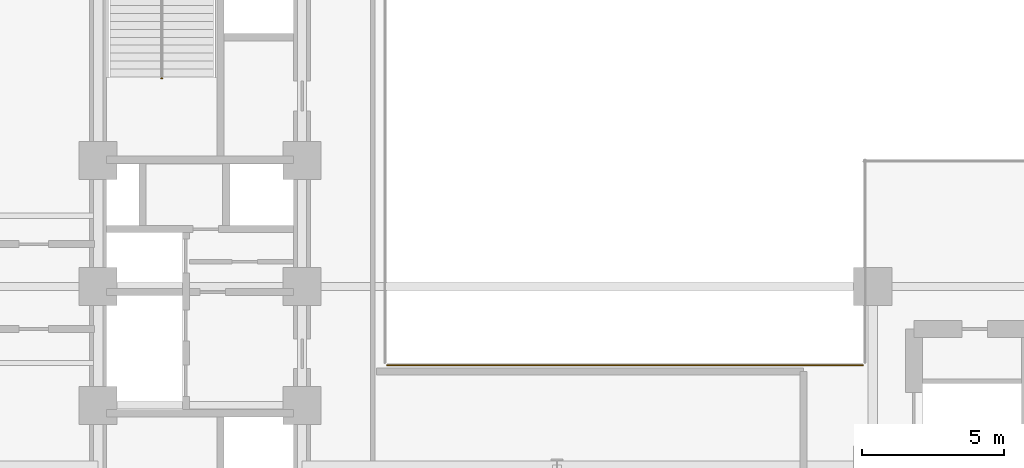
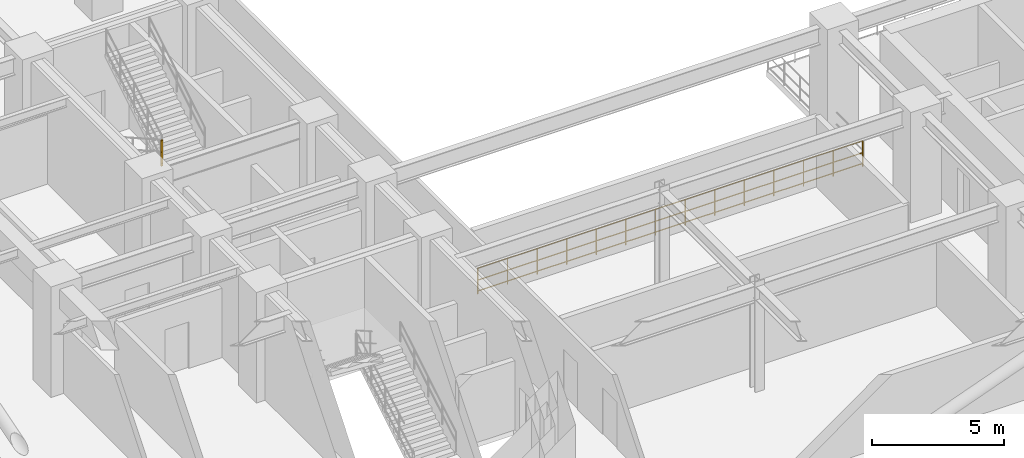
# One storey, part 12 of 15: 2 railings.
"""IFC4 building model written with IfcOpenShell, lengths in metres."""

from ifc_helpers import new_model, entity, si_unit, converted_unit, direction, frame, origin_with_axes, origin_2d_with_axis, place, context, subcontext, project, spatial, rectangle, circle, extrude, material, type_object, element, save


model = new_model("IFC4")

# Units and contexts
model_context = context("Model", 3, precision=1e-05, world=origin_with_axes(), true_north=direction((0.0, 1.0)))
body_context = subcontext(model_context, "Body", "Model", "MODEL_VIEW")
ifc_project = project(units=[si_unit("LENGTHUNIT", "METRE"), si_unit("AREAUNIT", "SQUARE_METRE"), si_unit("VOLUMEUNIT", "CUBIC_METRE"), converted_unit("PLANEANGLEUNIT", "DEGREE", entity("IfcPlaneAngleMeasure", 0.017453292519943295), si_unit("PLANEANGLEUNIT", "RADIAN"), dimensions=[0, 0, 0, 0, 0, 0, 0]), si_unit("MASSUNIT", "GRAM", prefix="KILO"), si_unit("THERMODYNAMICTEMPERATUREUNIT", "KELVIN")], contexts=[model_context])

# Site, building, storey
site_placement = place(None, origin_with_axes())
site = spatial("IfcSite", under=ifc_project, at=site_placement, CompositionType="ELEMENT")
building_placement = place(site_placement, origin_with_axes())
building = spatial("IfcBuilding", under=site, at=building_placement, Name="Varnlund Millrace Tower", CompositionType="ELEMENT")
storey_placement = place(building_placement, frame((0.0, 0.0, 79.5), z_axis=(0.0, 0.0, 1.0), x_axis=(1.0, 0.0, 0.0)))
storey = spatial("IfcBuildingStorey", under=building, at=storey_placement, Name="L19", CompositionType="ELEMENT", Elevation=79.5)

# Railings
ifc_material_1 = material(Name="Architectural bronze balustrade guard", Category="aluminium")
railing_type_1 = type_object("IfcRailingType", Name="Type-Guard-Perimeter-1150", PredefinedType="BALUSTRADE", material=ifc_material_1)
railing_1_placement = place(storey_placement, frame((0.0, 0.0, -79.5), z_axis=(0.0, 0.0, 1.0), x_axis=(1.0, 0.0, 0.0)))
element("IfcRailing", 1, at=railing_1_placement, inside=storey, type_object=railing_type_1, Name="Type-Guard-Perimeter-1150", PredefinedType="BALUSTRADE", context=body_context, shape_type="SweptSolid", body=[
    extrude(circle(Radius=0.024, at=origin_2d_with_axis()), frame((38.4, 21.52, 80.65), z_axis=(-1.0, 0.0, 0.0), x_axis=(0.0, -1.0, 0.0)), (0.0, 0.0, 1.0), 16.8),
    extrude(circle(Radius=0.024, at=origin_2d_with_axis()), frame((38.4, 21.52, 79.6), z_axis=(-1.0, 0.0, 0.0), x_axis=(0.0, -1.0, 0.0)), (0.0, 0.0, 1.0), 16.8),
    extrude(circle(Radius=0.024, at=origin_2d_with_axis()), frame((38.4, 21.52, 80.098), z_axis=(-1.0, 0.0, 0.0), x_axis=(0.0, -1.0, 0.0)), (0.0, 0.0, 1.0), 16.8),
    extrude(rectangle(XDim=0.04, YDim=0.04, at=origin_2d_with_axis()), frame((38.4, 21.52, 79.46), z_axis=(0.0, 0.0, 1.0), x_axis=(1.0, 0.0, 0.0)), (0.0, 0.0, 1.0), 1.19),
    extrude(rectangle(XDim=0.04, YDim=0.04, at=origin_2d_with_axis()), frame((37.107692, 21.52, 79.46), z_axis=(0.0, 0.0, 1.0), x_axis=(1.0, 0.0, 0.0)), (0.0, 0.0, 1.0), 1.19),
    extrude(rectangle(XDim=0.04, YDim=0.04, at=origin_2d_with_axis()), frame((35.815385, 21.52, 79.46), z_axis=(0.0, 0.0, 1.0), x_axis=(1.0, 0.0, 0.0)), (0.0, 0.0, 1.0), 1.19),
    extrude(rectangle(XDim=0.04, YDim=0.04, at=origin_2d_with_axis()), frame((34.523077, 21.52, 79.46), z_axis=(0.0, 0.0, 1.0), x_axis=(1.0, 0.0, 0.0)), (0.0, 0.0, 1.0), 1.19),
    extrude(rectangle(XDim=0.04, YDim=0.04, at=origin_2d_with_axis()), frame((33.230769, 21.52, 79.46), z_axis=(0.0, 0.0, 1.0), x_axis=(1.0, 0.0, 0.0)), (0.0, 0.0, 1.0), 1.19),
    extrude(rectangle(XDim=0.04, YDim=0.04, at=origin_2d_with_axis()), frame((31.938462, 21.52, 79.46), z_axis=(0.0, 0.0, 1.0), x_axis=(1.0, 0.0, 0.0)), (0.0, 0.0, 1.0), 1.19),
    extrude(rectangle(XDim=0.04, YDim=0.04, at=origin_2d_with_axis()), frame((30.646154, 21.52, 79.46), z_axis=(0.0, 0.0, 1.0), x_axis=(1.0, 0.0, 0.0)), (0.0, 0.0, 1.0), 1.19),
    extrude(rectangle(XDim=0.04, YDim=0.04, at=origin_2d_with_axis()), frame((29.353846, 21.52, 79.46), z_axis=(0.0, 0.0, 1.0), x_axis=(1.0, 0.0, 0.0)), (0.0, 0.0, 1.0), 1.19),
    extrude(rectangle(XDim=0.04, YDim=0.04, at=origin_2d_with_axis()), frame((28.061538, 21.52, 79.46), z_axis=(0.0, 0.0, 1.0), x_axis=(1.0, 0.0, 0.0)), (0.0, 0.0, 1.0), 1.19),
    extrude(rectangle(XDim=0.04, YDim=0.04, at=origin_2d_with_axis()), frame((26.769231, 21.52, 79.46), z_axis=(0.0, 0.0, 1.0), x_axis=(1.0, 0.0, 0.0)), (0.0, 0.0, 1.0), 1.19),
    extrude(rectangle(XDim=0.04, YDim=0.04, at=origin_2d_with_axis()), frame((25.476923, 21.52, 79.46), z_axis=(0.0, 0.0, 1.0), x_axis=(1.0, 0.0, 0.0)), (0.0, 0.0, 1.0), 1.19),
    extrude(rectangle(XDim=0.04, YDim=0.04, at=origin_2d_with_axis()), frame((24.184615, 21.52, 79.46), z_axis=(0.0, 0.0, 1.0), x_axis=(1.0, 0.0, 0.0)), (0.0, 0.0, 1.0), 1.19),
    extrude(rectangle(XDim=0.04, YDim=0.04, at=origin_2d_with_axis()), frame((22.892308, 21.52, 79.46), z_axis=(0.0, 0.0, 1.0), x_axis=(1.0, 0.0, 0.0)), (0.0, 0.0, 1.0), 1.19),
    extrude(rectangle(XDim=0.04, YDim=0.04, at=origin_2d_with_axis()), frame((21.6, 21.52, 79.46), z_axis=(0.0, 0.0, 1.0), x_axis=(1.0, 0.0, 0.0)), (0.0, 0.0, 1.0), 1.19),
])
ifc_material_2 = material(Name="Painted steel stair well balustrade guard", Category="steel")
railing_type_2 = type_object("IfcRailingType", Name="Type-StairGuard-1150", PredefinedType="GUARDRAIL", material=ifc_material_2)
railing_2_placement = place(storey_placement, frame((0.0, 0.0, -79.5), z_axis=(0.0, 0.0, 1.0), x_axis=(1.0, 0.0, 0.0)))
element("IfcRailing", 2, at=railing_2_placement, inside=storey, type_object=railing_type_2, Name="Type-StairGuard-1150", PredefinedType="GUARDRAIL", context=body_context, shape_type="SweptSolid", body=[
    extrude(circle(Radius=0.024, at=origin_2d_with_axis()), frame((13.675, 31.65, 83.2), z_axis=(-1.0, 0.0, 0.0), x_axis=(0.0, -1.0, 0.0)), (0.0, 0.0, 1.0), 0.05),
    extrude(circle(Radius=0.024, at=origin_2d_with_axis()), frame((13.675, 31.65, 82.15), z_axis=(-1.0, 0.0, 0.0), x_axis=(0.0, -1.0, 0.0)), (0.0, 0.0, 1.0), 0.05),
    extrude(circle(Radius=0.024, at=origin_2d_with_axis()), frame((13.675, 31.65, 82.648), z_axis=(-1.0, 0.0, 0.0), x_axis=(0.0, -1.0, 0.0)), (0.0, 0.0, 1.0), 0.05),
    extrude(rectangle(XDim=0.04, YDim=0.04, at=origin_2d_with_axis()), frame((13.675, 31.65, 82.01), z_axis=(0.0, 0.0, 1.0), x_axis=(1.0, 0.0, 0.0)), (0.0, 0.0, 1.0), 1.19),
    extrude(rectangle(XDim=0.04, YDim=0.04, at=origin_2d_with_axis()), frame((13.625, 31.65, 82.01), z_axis=(0.0, 0.0, 1.0), x_axis=(1.0, 0.0, 0.0)), (0.0, 0.0, 1.0), 1.19),
])

save(model, "model.ifc")
